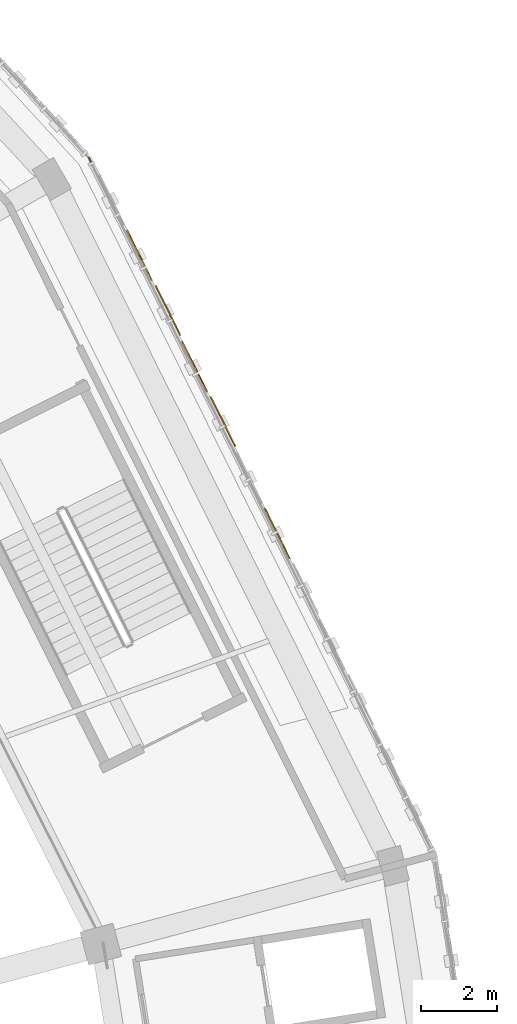
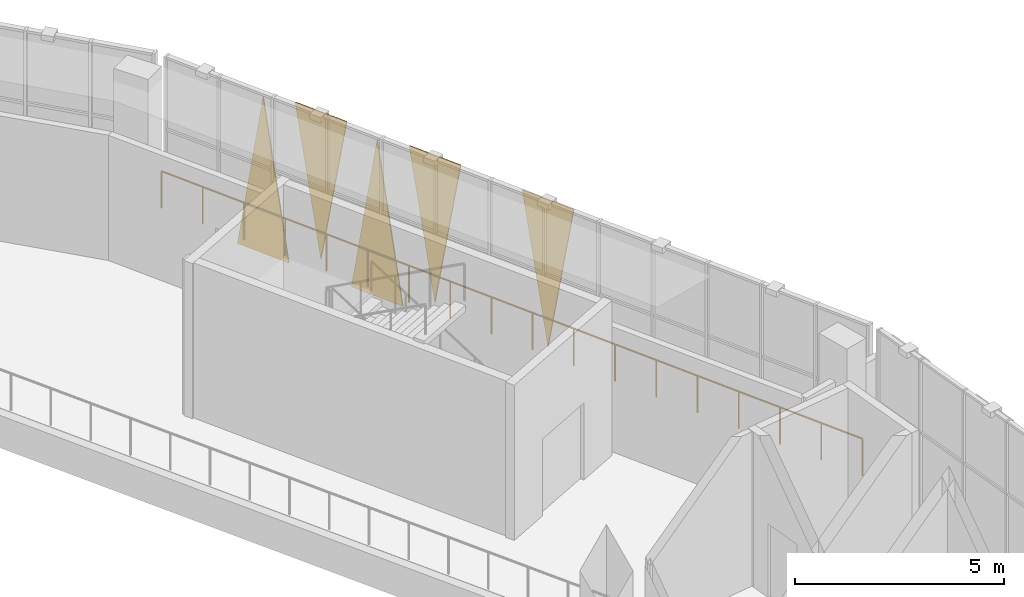
# One storey, part 97 of 108: 5 coverings, 1 railing.
"""IFC4 building model written with IfcOpenShell, lengths in metres."""

from ifc_helpers import new_model, si_unit, direction, frame, origin, origin_2d, place, context, subcontext, project, spatial, polyline, circle, outline, extrude, material, layer, layer_set, type_object, element, save


model = new_model("IFC4")

# Units and contexts
model_context = context("Model", 3, precision=1e-05, world=origin(), true_north=direction((0.0, 1.0)))
body_context = subcontext(model_context, "Body", "Model", "MODEL_VIEW")
ifc_project = project(units=[si_unit("LENGTHUNIT", "METRE"), si_unit("AREAUNIT", "SQUARE_METRE"), si_unit("VOLUMEUNIT", "CUBIC_METRE"), si_unit("PLANEANGLEUNIT", "RADIAN"), si_unit("MASSUNIT", "GRAM", prefix="KILO")], contexts=[model_context])

# Site, building, storey
site_placement = place(None, origin())
site = spatial("IfcSite", under=ifc_project, at=site_placement, CompositionType="ELEMENT")
building_placement = place(site_placement, origin())
building = spatial("IfcBuilding", under=site, at=building_placement, Name="Zevraka Park Crest Stadium", CompositionType="ELEMENT")
storey_placement = place(building_placement, frame((0.0, 0.0, 19.800048828125)))
storey = spatial("IfcBuildingStorey", under=building, at=storey_placement, Name="L04", CompositionType="ELEMENT", Elevation=19.800048828125)

# Coverings
ifc_material_1 = material(Name="Architectural golden-bronze perforated aluminium", Category="aluminium")
ifc_layer = layer(ifc_material_1, 0.034912109375)
ifc_layer_set = layer_set([ifc_layer], Name="Architectural golden-bronze perforated aluminium")
covering_type = type_object("IfcCoveringType", Name="CLD01", PredefinedType="CLADDING", material=ifc_layer_set)
covering_1_placement = place(storey_placement, frame((195.846923828125, 120.952880859375, 4.52001953125), z_axis=(0.896168160385, 0.443714539024, 0.00019018377), x_axis=(0.443714547049, -0.896168176593, 0.0)))
element("IfcCovering", 1, at=covering_1_placement, inside=storey, type_object=covering_type, Name="Triangular Golden-Bronze Perforated Cladding L04-01-6", PredefinedType="CLADDING", context=body_context, shape_type="SweptSolid", body=[
    extrude(outline(polyline([(0.0, 0.0), (1.480642061984624, 0.0), (0.7400448752125611, 4.3000489058910984), (0.0, 0.0)])), origin(), (0.0, 0.0, -1.0), 0.034912109375),
])
covering_2_placement = place(storey_placement, frame((194.389892578125, 123.89404296875, 4.52001953125), z_axis=(-0.895872759061, -0.444310698754, 5.0452586e-05), x_axis=(0.44431069932, -0.895872760201, 0.0)))
element("IfcCovering", 2, at=covering_2_placement, inside=storey, type_object=covering_type, Name="Triangular Golden-Bronze Perforated Cladding L04-01-8", PredefinedType="CLADDING", context=body_context, shape_type="SweptSolid", body=[
    extrude(outline(polyline([(0.0, 0.0), (1.481402824662643, 0.0), (0.7411388502025134, -4.300048833597808), (0.0, 0.0)])), origin(), (0.0, 0.0, -1.0), 0.034912109375),
])
covering_3_placement = place(storey_placement, frame((194.319091796875, 124.037109375, -0.219970703125), z_axis=(0.896168173435, 0.443714545485, 8.3951629e-05), x_axis=(-0.443714547049, 0.896168176593, 0.0)))
element("IfcCovering", 3, at=covering_3_placement, inside=storey, type_object=covering_type, Name="Triangular Golden-Bronze Perforated Cladding L04-01-9", PredefinedType="CLADDING", context=body_context, shape_type="SweptSolid", body=[
    extrude(outline(polyline([(0.0, 0.0), (1.480642061984624, -6.776263578034403e-21), (0.7409200394475148, 4.579834000514052), (0.0, 0.0)])), origin(), (0.0, 0.0, -1.0), 0.034912109375),
])
covering_4_placement = place(storey_placement, frame((192.93310546875, 126.833984375, 4.52001953125), z_axis=(-0.895775587615, -0.444506574963, 3.8048094e-05), x_axis=(0.444506575285, -0.895775588264, 0.0)))
element("IfcCovering", 4, at=covering_4_placement, inside=storey, type_object=covering_type, Name="Triangular Golden-Bronze Perforated Cladding L04-01-10", PredefinedType="CLADDING", context=body_context, shape_type="SweptSolid", body=[
    extrude(outline(polyline([(0.0, 0.0), (1.4802007910768735, 3.3881317890172014e-21), (0.7401554820878727, -4.3000488312375), (0.0, 0.0)])), origin(), (0.0, 0.0, -1.0), 0.034912109375),
])
covering_5_placement = place(storey_placement, frame((192.862060546875, 126.97802734375, -0.219970703125), z_axis=(0.89616816584, 0.443714541725, 0.000154911894), x_axis=(-0.443714547049, 0.896168176593, 0.0)))
element("IfcCovering", 5, at=covering_5_placement, inside=storey, type_object=covering_type, Name="Triangular Golden-Bronze Perforated Cladding L04-01-11", PredefinedType="CLADDING", context=body_context, shape_type="SweptSolid", body=[
    extrude(outline(polyline([(0.0, 0.0), (1.480642061984624, 0.0), (0.7402636662712996, 4.579834039327731), (0.0, 0.0)])), origin(), (0.0, 0.0, -1.0), 0.034912109375),
])

# Railing
ifc_material_2 = material(Name="Galvanised and bronze-finished steel balustrade", Category="steel")
railing_type = type_object("IfcRailingType", Name="GR01", PredefinedType="GUARDRAIL", material=ifc_material_2)
railing_placement = place(storey_placement, frame((191.18310546875, 130.2099609375, 0.0)))
element("IfcRailing", 6, at=railing_placement, inside=storey, type_object=railing_type, Name="Deck Edge Protection Guardrail GR01 L04-11", PredefinedType="GUARDRAIL", context=body_context, shape_type="SweptSolid", body=[
    extrude(circle(Radius=0.02392578125, at=origin_2d()), frame((0.0, 0.0, 1.076171875), z_axis=(0.443960030386, -0.896046589983, 0.0), x_axis=(0.896046589983, 0.443960030386, 0.0)), (0.0, 0.0, 1.0), 20.1884765625),
    extrude(circle(Radius=0.02099609375, at=origin_2d()), origin(), (0.0, 0.0, 1.0), 1.052001953125),
    extrude(circle(Radius=0.02099609375, at=origin_2d()), frame((0.52734375, -1.064208984375, 0.0)), (0.0, 0.0, 1.0), 1.052001953125),
    extrude(circle(Radius=0.02099609375, at=origin_2d()), frame((1.054443359375, -2.128173828125, 0.0)), (0.0, 0.0, 1.0), 1.052001953125),
    extrude(circle(Radius=0.02099609375, at=origin_2d()), frame((1.581787109375, -3.1923828125, 0.0)), (0.0, 0.0, 1.0), 1.052001953125),
    extrude(circle(Radius=0.02099609375, at=origin_2d()), frame((2.10888671875, -4.25634765625, 0.0)), (0.0, 0.0, 1.0), 1.052001953125),
    extrude(circle(Radius=0.02099609375, at=origin_2d()), frame((2.63623046875, -5.320556640625, 0.0)), (0.0, 0.0, 1.0), 1.052001953125),
    extrude(circle(Radius=0.02099609375, at=origin_2d()), frame((3.163330078125, -6.384765625, 0.0)), (0.0, 0.0, 1.0), 1.052001953125),
    extrude(circle(Radius=0.02099609375, at=origin_2d()), frame((3.690673828125, -7.44873046875, 0.0)), (0.0, 0.0, 1.0), 1.052001953125),
    extrude(circle(Radius=0.02099609375, at=origin_2d()), frame((4.2177734375, -8.512939453125, 0.0)), (0.0, 0.0, 1.0), 1.052001953125),
    extrude(circle(Radius=0.02099609375, at=origin_2d()), frame((4.7451171875, -9.576904296875, 0.0)), (0.0, 0.0, 1.0), 1.052001953125),
    extrude(circle(Radius=0.02099609375, at=origin_2d()), frame((5.272216796875, -10.64111328125, 0.0)), (0.0, 0.0, 1.0), 1.052001953125),
    extrude(circle(Radius=0.02099609375, at=origin_2d()), frame((5.799560546875, -11.705078125, 0.0)), (0.0, 0.0, 1.0), 1.052001953125),
    extrude(circle(Radius=0.02099609375, at=origin_2d()), frame((6.32666015625, -12.769287109375, 0.0)), (0.0, 0.0, 1.0), 1.052001953125),
    extrude(circle(Radius=0.02099609375, at=origin_2d()), frame((6.85400390625, -13.83349609375, 0.0)), (0.0, 0.0, 1.0), 1.052001953125),
    extrude(circle(Radius=0.02099609375, at=origin_2d()), frame((7.381103515625, -14.8974609375, 0.0)), (0.0, 0.0, 1.0), 1.052001953125),
    extrude(circle(Radius=0.02099609375, at=origin_2d()), frame((7.908447265625, -15.961669921875, 0.0)), (0.0, 0.0, 1.0), 1.052001953125),
    extrude(circle(Radius=0.02099609375, at=origin_2d()), frame((8.435546875, -17.025634765625, 0.0)), (0.0, 0.0, 1.0), 1.052001953125),
    extrude(circle(Radius=0.02099609375, at=origin_2d()), frame((8.962890625, -18.08984375, 0.0)), (0.0, 0.0, 1.0), 1.052001953125),
])

save(model, "model.ifc")
